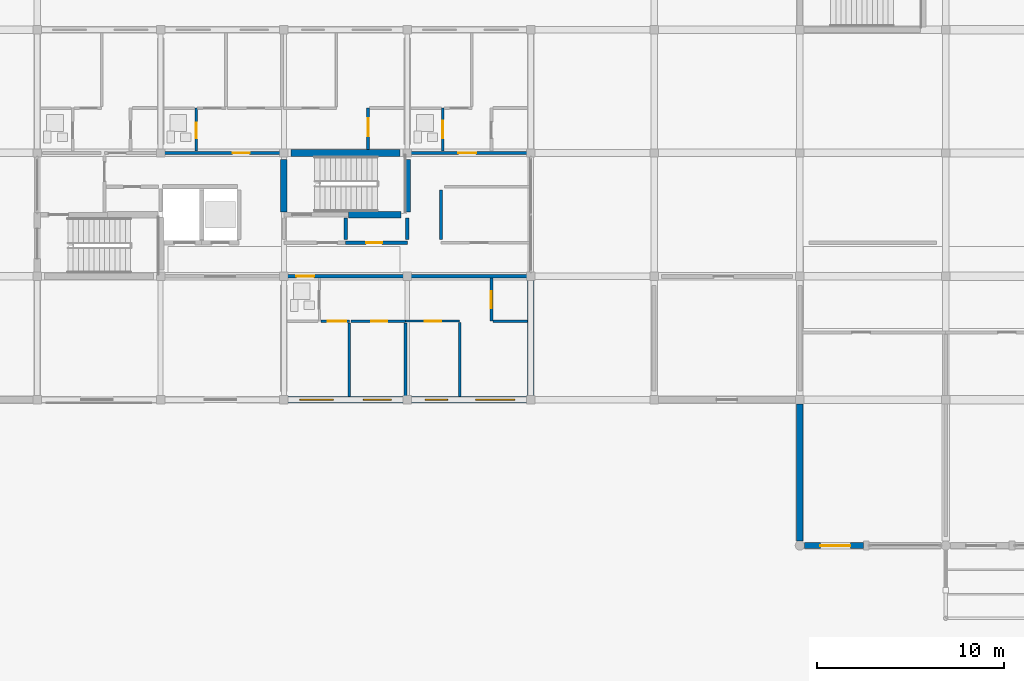
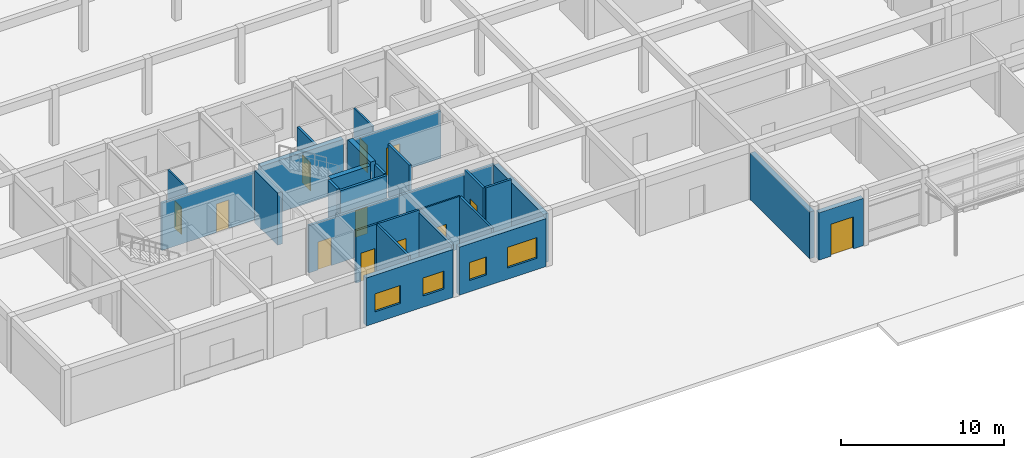
# One storey, part 49 of 75: 27 walls, 12 doors, 4 windows, 16 openings.
"""IFC4 building model written with IfcOpenShell, lengths in metres."""

from ifc_helpers import new_model, si_unit, direction, frame, frame_2d, origin, place, context, subcontext, project, spatial, rectangle, extrude, material, layer, layer_set, type_object, element, fill, save


model = new_model("IFC4")

# Units and contexts
model_context = context("Model", 3, precision=1e-05, world=origin(), true_north=direction((0.0, 1.0)))
body_context = subcontext(model_context, "Body", "Model", "MODEL_VIEW")
ifc_project = project(units=[si_unit("LENGTHUNIT", "METRE"), si_unit("AREAUNIT", "SQUARE_METRE"), si_unit("VOLUMEUNIT", "CUBIC_METRE"), si_unit("PLANEANGLEUNIT", "RADIAN"), si_unit("MASSUNIT", "GRAM", prefix="KILO")], contexts=[model_context])

# Site, building, storey
site_placement = place(None, origin())
site = spatial("IfcSite", under=ifc_project, at=site_placement, CompositionType="ELEMENT")
building_placement = place(site_placement, origin())
building = spatial("IfcBuilding", under=site, at=building_placement, Name="Kernevlak Ridge Housing Community", CompositionType="ELEMENT")
storey_placement = place(building_placement, origin())
storey = spatial("IfcBuildingStorey", under=building, at=storey_placement, Name="L00", CompositionType="ELEMENT", Elevation=0.0)

# Wall, openings, windows
ifc_material_1 = material(Name="Concrete block masonry M10", Category="masonry")
ifc_layer_1 = layer(ifc_material_1, 0.340087890625, Name="Concrete block masonry M10")
ifc_layer_set_1 = layer_set([ifc_layer_1], Name="Concrete block masonry M10")
wall_type_1 = type_object("IfcWallType", Name="EW-04", PredefinedType="STANDARD", material=ifc_layer_set_1)
wall_1_placement = place(storey_placement, frame((29.02490234375, 15.60009765625, 0.0), z_axis=(0.0, 0.0, 1.0), x_axis=(1.0, 0.0, 0.0)))
wall_1 = element("IfcWall", 1, at=wall_1_placement, inside=storey, type_object=wall_type_1, Name="Exterior wall EW-04 L00 717", PredefinedType="STANDARD", context=body_context, shape_type="SweptSolid", body=[
    extrude(rectangle(XDim=6.150146484375, YDim=0.340087890625, at=frame_2d((3.0751953125, 0.0))), origin(), (0.0, 0.0, 1.0), 3.60009765625),
])
opening_1_placement = place(wall_1_placement, frame((0.625, 0.0, 0.85009765625)))
opening_1 = element("IfcOpeningElement", 2, at=opening_1_placement, cuts=wall_1, Name="Opening WT-03", PredefinedType="OPENING", context=body_context, shape_type="SweptSolid", body=[
    extrude(rectangle(XDim=1.800048828125, YDim=1.35009765625, at=frame_2d((0.89990234375, 0.675048828125))), frame((0.0, 0.179931640625, 0.0), z_axis=(0.0, -1.0, 0.0), x_axis=(1.0, 0.0, 0.0)), (0.0, 0.0, 1.0), 0.360107421875),
])
opening_2_placement = place(wall_1_placement, frame((4.02490234375, 0.0, 0.85009765625)))
opening_2 = element("IfcOpeningElement", 3, at=opening_2_placement, cuts=wall_1, Name="Opening WT-02", PredefinedType="OPENING", context=body_context, shape_type="SweptSolid", body=[
    extrude(rectangle(XDim=1.5, YDim=1.35009765625, at=frame_2d((0.75, 0.675048828125))), frame((0.0, 0.179931640625, 0.0), z_axis=(0.0, -1.0, 0.0), x_axis=(1.0, 0.0, 0.0)), (0.0, 0.0, 1.0), 0.360107421875),
])
ifc_material_2 = material(Name="Aluminium EN AW-6060 anodised and laminated glass", Category="aluminium")
window_type_1 = type_object("IfcWindowType", Name="WT-02", PartitioningType="SINGLE_PANEL", PredefinedType="WINDOW", material=ifc_material_2)
window_1_placement = place(opening_2_placement, origin())
window_1 = element("IfcWindow", 4, at=window_1_placement, inside=storey, type_object=window_type_1, Name="Window WT-02 L00 579", OverallHeight=1.35009765625, OverallWidth=1.5, PartitioningType="SINGLE_PANEL", PredefinedType="WINDOW", context=body_context, shape_type="SweptSolid", body=[
    extrude(rectangle(XDim=1.5, YDim=1.35009765625, at=frame_2d((0.75, 0.675048828125))), frame((0.0, 0.030029296875, 0.0), z_axis=(0.0, -1.0, 0.0), x_axis=(1.0, 0.0, 0.0)), (0.0, 0.0, 1.0), 0.06005859375),
])
fill(opening_2, window_1)
window_type_2 = type_object("IfcWindowType", Name="WT-03", PartitioningType="SINGLE_PANEL", PredefinedType="WINDOW", material=ifc_material_2)
window_2_placement = place(opening_1_placement, origin())
window_2 = element("IfcWindow", 5, at=window_2_placement, inside=storey, type_object=window_type_2, Name="Window WT-03 L00 578", OverallHeight=1.35009765625, OverallWidth=1.800048828125, PartitioningType="SINGLE_PANEL", PredefinedType="WINDOW", context=body_context, shape_type="SweptSolid", body=[
    extrude(rectangle(XDim=1.800048828125, YDim=1.35009765625, at=frame_2d((0.89990234375, 0.675048828125))), frame((0.0, 0.030029296875, 0.0), z_axis=(0.0, -1.0, 0.0), x_axis=(1.0, 0.0, 0.0)), (0.0, 0.0, 1.0), 0.06005859375),
])
fill(opening_1, window_2)

wall_2_placement = place(storey_placement, frame((35.625, 15.60009765625, 0.0), z_axis=(0.0, 0.0, 1.0), x_axis=(1.0, 0.0, 0.0)))
wall_2 = element("IfcWall", 6, at=wall_2_placement, inside=storey, type_object=wall_type_1, Name="Exterior wall EW-04 L00 718", PredefinedType="STANDARD", context=body_context, shape_type="SweptSolid", body=[
    extrude(rectangle(XDim=6.14990234375, YDim=0.340087890625, at=frame_2d((3.074951171875, 0.0))), origin(), (0.0, 0.0, 1.0), 3.60009765625),
])
opening_3_placement = place(wall_2_placement, frame((0.72509765625, 0.0, 0.85009765625)))
opening_3 = element("IfcOpeningElement", 7, at=opening_3_placement, cuts=wall_2, Name="Opening WT-01", PredefinedType="OPENING", context=body_context, shape_type="SweptSolid", body=[
    extrude(rectangle(XDim=1.199951171875, YDim=1.35009765625, at=frame_2d((0.60009765625, 0.675048828125))), frame((0.0, 0.179931640625, 0.0), z_axis=(0.0, -1.0, 0.0), x_axis=(1.0, 0.0, 0.0)), (0.0, 0.0, 1.0), 0.360107421875),
])
opening_4_placement = place(wall_2_placement, frame((3.425048828125, 0.0, 0.85009765625)))
opening_4 = element("IfcOpeningElement", 8, at=opening_4_placement, cuts=wall_2, Name="Opening WT-05", PredefinedType="OPENING", context=body_context, shape_type="SweptSolid", body=[
    extrude(rectangle(XDim=2.10009765625, YDim=1.550048828125, at=frame_2d((1.050048828125, 0.77490234375))), frame((0.0, 0.179931640625, 0.0), z_axis=(0.0, -1.0, 0.0), x_axis=(1.0, 0.0, 0.0)), (0.0, 0.0, 1.0), 0.360107421875),
])
window_type_3 = type_object("IfcWindowType", Name="WT-01", PartitioningType="SINGLE_PANEL", PredefinedType="WINDOW", material=ifc_material_2)
window_3_placement = place(opening_3_placement, origin())
window_3 = element("IfcWindow", 9, at=window_3_placement, inside=storey, type_object=window_type_3, Name="Window WT-01 L00 580", OverallHeight=1.35009765625, OverallWidth=1.199951171875, PartitioningType="SINGLE_PANEL", PredefinedType="WINDOW", context=body_context, shape_type="SweptSolid", body=[
    extrude(rectangle(XDim=1.199951171875, YDim=1.35009765625, at=frame_2d((0.60009765625, 0.675048828125))), frame((0.0, 0.030029296875, 0.0), z_axis=(0.0, -1.0, 0.0), x_axis=(1.0, 0.0, 0.0)), (0.0, 0.0, 1.0), 0.06005859375),
])
fill(opening_3, window_3)
window_type_4 = type_object("IfcWindowType", Name="WT-05", PartitioningType="SINGLE_PANEL", PredefinedType="WINDOW", material=ifc_material_2)
window_4_placement = place(opening_4_placement, origin())
window_4 = element("IfcWindow", 10, at=window_4_placement, inside=storey, type_object=window_type_4, Name="Window WT-05 L00 581", OverallHeight=1.550048828125, OverallWidth=2.10009765625, PartitioningType="SINGLE_PANEL", PredefinedType="WINDOW", context=body_context, shape_type="SweptSolid", body=[
    extrude(rectangle(XDim=2.10009765625, YDim=1.550048828125, at=frame_2d((1.050048828125, 0.77490234375))), frame((0.0, 0.030029296875, 0.0), z_axis=(0.0, -1.0, 0.0), x_axis=(1.0, 0.0, 0.0)), (0.0, 0.0, 1.0), 0.06005859375),
])
fill(opening_4, window_4)

# Wall
wall_3_placement = place(storey_placement, frame((42.0, 15.824951171875, 0.0), z_axis=(0.0, 0.0, 1.0), x_axis=(0.0, 1.0, 0.0)))
element("IfcWall", 11, at=wall_3_placement, inside=storey, type_object=wall_type_1, Name="Exterior wall EW-04 L00 725", PredefinedType="STANDARD", context=body_context, shape_type="SweptSolid", body=[
    extrude(rectangle(XDim=6.150146484375, YDim=0.340087890625, at=frame_2d((3.0751953125, 0.0))), origin(), (0.0, 0.0, 1.0), 3.64990234375),
])

# Wall, opening, door
wall_4_placement = place(storey_placement, frame((56.64990234375, 7.800048828125, 0.0), z_axis=(0.0, 0.0, 1.0), x_axis=(1.0, 0.0, 0.0)))
wall_4 = element("IfcWall", 12, at=wall_4_placement, inside=storey, type_object=wall_type_1, Name="Exterior wall EW-04 L00 903", PredefinedType="STANDARD", context=body_context, shape_type="SweptSolid", body=[
    extrude(rectangle(XDim=3.150146484375, YDim=0.340087890625, at=frame_2d((1.5751953125, 0.0))), origin(), (0.0, 0.0, 1.0), 3.550048828125),
])
opening_5_placement = place(wall_4_placement, frame((0.85009765625, 0.0, 0.0)))
opening_5 = element("IfcOpeningElement", 13, at=opening_5_placement, cuts=wall_4, Name="Opening E796", PredefinedType="OPENING", context=body_context, shape_type="SweptSolid", body=[
    extrude(rectangle(XDim=1.60009765625, YDim=2.39990234375, at=frame_2d((0.800048828125, 1.199951171875))), frame((0.0, 0.179931640625, 0.0), z_axis=(0.0, -1.0, 0.0), x_axis=(1.0, 0.0, 0.0)), (0.0, 0.0, 1.0), 0.360107421875),
])
ifc_material_3 = material(Name="Aluminium EN AW-6060 and laminated safety glass", Category="aluminium")
door_type_1 = type_object("IfcDoorType", Name="DT-13", OperationType="DOUBLE_DOOR_SINGLE_SWING", PredefinedType="DOOR", material=ifc_material_3)
door_1_placement = place(opening_5_placement, origin())
door_1 = element("IfcDoor", 14, at=door_1_placement, inside=storey, type_object=door_type_1, Name="Retail Shop 1 street entrance exit E796", OperationType="DOUBLE_DOOR_SINGLE_SWING", OverallHeight=2.39990234375, OverallWidth=1.60009765625, PredefinedType="DOOR", context=body_context, shape_type="SweptSolid", body=[
    extrude(rectangle(XDim=1.60009765625, YDim=2.39990234375, at=frame_2d((0.800048828125, 1.199951171875))), frame((0.0, 0.02490234375, 0.0), z_axis=(0.0, -1.0, 0.0), x_axis=(1.0, 0.0, 0.0)), (0.0, 0.0, 1.0), 0.050048828125),
])
fill(opening_5, door_1)

# Wall
wall_5_placement = place(storey_placement, frame((56.39990234375, 8.050048828125, 0.0), z_axis=(0.0, 0.0, 1.0), x_axis=(0.0, 1.0, 0.0)))
element("IfcWall", 15, at=wall_5_placement, inside=storey, type_object=wall_type_1, Name="Exterior wall EW-04 L00 909", PredefinedType="STANDARD", context=body_context, shape_type="SweptSolid", body=[
    extrude(rectangle(XDim=7.324951171875, YDim=0.340087890625, at=frame_2d((3.66259765625, 0.0))), origin(), (0.0, 0.0, 1.0), 3.5),
])

# Wall, opening, door
ifc_layer_2 = layer(ifc_material_1, 0.175048828125, Name="Concrete block masonry M10")
ifc_layer_set_2 = layer_set([ifc_layer_2], Name="Concrete block masonry M10")
wall_type_2 = type_object("IfcWallType", Name="PW-02", PredefinedType="PARTITIONING", material=ifc_layer_set_2)
wall_6_placement = place(storey_placement, frame((32.10009765625, 24.0, 0.0), z_axis=(0.0, 0.0, 1.0), x_axis=(1.0, 0.0, 0.0)))
wall_6 = element("IfcWall", 16, at=wall_6_placement, inside=storey, type_object=wall_type_2, Name="Interior wall PW-02 WAL-INT-L00-2929", PredefinedType="PARTITIONING", context=body_context, shape_type="SweptSolid", body=[
    extrude(rectangle(XDim=3.2998046875, YDim=0.175048828125, at=frame_2d((1.64990234375, 0.0))), origin(), (0.0, 0.0, 1.0), 3.919921875),
])
opening_6_placement = place(wall_6_placement, frame((1.10009765625, 0.0, 0.0)))
opening_6 = element("IfcOpeningElement", 17, at=opening_6_placement, cuts=wall_6, Name="Opening E484", PredefinedType="OPENING", context=body_context, shape_type="SweptSolid", body=[
    extrude(rectangle(XDim=0.85009765625, YDim=2.0, at=frame_2d((0.425048828125, 1.0))), frame((0.0, 0.097412109375, 0.0), z_axis=(0.0, -1.0, 0.0), x_axis=(1.0, 0.0, 0.0)), (0.0, 0.0, 1.0), 0.195068359375),
])
ifc_material_4 = material(Name="Fire-rated sheet steel leaf", Category="steel")
door_type_2 = type_object("IfcDoorType", Name="DT-07", OperationType="NOTDEFINED", PredefinedType="DOOR", material=ifc_material_4)
door_2_placement = place(opening_6_placement, origin())
door_2 = element("IfcDoor", 18, at=door_2_placement, inside=storey, type_object=door_type_2, Name="Block D Cleaner store door E484", OperationType="SINGLE_SWING_LEFT", OverallHeight=2.0, OverallWidth=0.85009765625, PredefinedType="DOOR", context=body_context, shape_type="SweptSolid", body=[
    extrude(rectangle(XDim=0.85009765625, YDim=2.0, at=frame_2d((0.425048828125, 1.0))), frame((0.0, 0.02490234375, 0.0), z_axis=(0.0, -1.0, 0.0), x_axis=(1.0, 0.0, 0.0)), (0.0, 0.0, 1.0), 0.050048828125),
])
fill(opening_6, door_2)

# Walls
for number, where, z_axis, x_axis, name in (
    (19, (32.10009765625, 24.179931640625, 0.0), (0.0, 0.0, 1.0), (0.0, 1.0, 0.0), "Interior wall PW-02 WAL-INT-L00-2931"),
    (20, (35.39990234375, 24.179931640625, 0.0), (0.0, 0.0, 1.0), (0.0, 1.0, 0.0), "Interior wall PW-02 WAL-INT-L00-2932"),
):
    element("IfcWall", number, at=place(storey_placement, frame(where, z_axis=z_axis, x_axis=x_axis)), inside=storey, type_object=wall_type_2, Name=name, PredefinedType="PARTITIONING", context=body_context, shape_type="SweptSolid", body=[
        extrude(rectangle(XDim=1.14013671875, YDim=0.175048828125, at=frame_2d((0.570068359375, 0.0))), origin(), (0.0, 0.0, 1.0), 3.919921875),
    ])

# Wall, opening, door
wall_7_placement = place(storey_placement, frame((28.800048828125, 22.199951171875, 0.0), z_axis=(0.0, 0.0, 1.0), x_axis=(1.0, 0.0, 0.0)))
wall_7 = element("IfcWall", 21, at=wall_7_placement, inside=storey, type_object=wall_type_2, Name="Interior wall PW-02 WAL-INT-L00-2937", PredefinedType="PARTITIONING", context=body_context, shape_type="SweptSolid", body=[
    extrude(rectangle(XDim=13.199951171875, YDim=0.175048828125, at=frame_2d((6.60009765625, 0.0))), origin(), (0.0, 0.0, 1.0), 3.550048828125),
])
opening_7_placement = place(wall_7_placement, frame((0.669921875, 0.0, 0.0)))
opening_7 = element("IfcOpeningElement", 22, at=opening_7_placement, cuts=wall_7, Name="Opening E489", PredefinedType="OPENING", context=body_context, shape_type="SweptSolid", body=[
    extrude(rectangle(XDim=0.949951171875, YDim=2.10009765625, at=frame_2d((0.47509765625, 1.050048828125))), frame((0.0, 0.097412109375, 0.0), z_axis=(0.0, -1.0, 0.0), x_axis=(1.0, 0.0, 0.0)), (0.0, 0.0, 1.0), 0.195068359375),
])
ifc_material_5 = material(Name="Hardwood timber solid-core fire leaf", Category="wood")
door_type_3 = type_object("IfcDoorType", Name="DT-01", OperationType="NOTDEFINED", PredefinedType="DOOR", material=ifc_material_5)
door_3_placement = place(opening_7_placement, origin())
door_3 = element("IfcDoor", 23, at=door_3_placement, inside=storey, type_object=door_type_3, Name="Flat D0012 entrance fire door E489", OperationType="SINGLE_SWING_RIGHT", OverallHeight=2.10009765625, OverallWidth=0.949951171875, PredefinedType="DOOR", context=body_context, shape_type="SweptSolid", body=[
    extrude(rectangle(XDim=0.949951171875, YDim=2.10009765625, at=frame_2d((0.47509765625, 1.050048828125))), frame((0.0, 0.02490234375, 0.0), z_axis=(0.0, -1.0, 0.0), x_axis=(1.0, 0.0, 0.0)), (0.0, 0.0, 1.0), 0.050048828125),
])
fill(opening_7, door_3)

wall_8_placement = place(storey_placement, frame((22.199951171875, 28.800048828125, 0.0), z_axis=(0.0, 0.0, 1.0), x_axis=(1.0, 0.0, 0.0)))
wall_8 = element("IfcWall", 24, at=wall_8_placement, inside=storey, type_object=wall_type_2, Name="Interior wall PW-02 WAL-INT-L00-2956", PredefinedType="PARTITIONING", context=body_context, shape_type="SweptSolid", body=[
    extrude(rectangle(XDim=6.60009765625, YDim=0.175048828125, at=frame_2d((3.300048828125, 0.0))), origin(), (0.0, 0.0, 1.0), 3.550048828125),
])
opening_8_placement = place(wall_8_placement, frame((3.85009765625, 0.0, 0.0)))
opening_8 = element("IfcOpeningElement", 25, at=opening_8_placement, cuts=wall_8, Name="Opening E499", PredefinedType="OPENING", context=body_context, shape_type="SweptSolid", body=[
    extrude(rectangle(XDim=0.919921875, YDim=2.139892578125, at=frame_2d((0.4599609375, 1.06982421875))), frame((0.0, 0.097412109375, 0.0), z_axis=(0.0, -1.0, 0.0), x_axis=(1.0, 0.0, 0.0)), (0.0, 0.0, 1.0), 0.195068359375),
])
door_type_4 = type_object("IfcDoorType", Name="DT-20", OperationType="NOTDEFINED", PredefinedType="DOOR", material=ifc_material_5)
door_4_placement = place(opening_8_placement, origin())
door_4 = element("IfcDoor", 26, at=door_4_placement, inside=storey, type_object=door_type_4, Name="Flat D0022 entrance fire door E499", OperationType="SINGLE_SWING_RIGHT", OverallHeight=2.139892578125, OverallWidth=0.919921875, PredefinedType="DOOR", context=body_context, shape_type="SweptSolid", body=[
    extrude(rectangle(XDim=0.919921875, YDim=2.139892578125, at=frame_2d((0.4599609375, 1.06982421875))), frame((0.0, 0.02490234375, 0.0), z_axis=(0.0, -1.0, 0.0), x_axis=(1.0, 0.0, 0.0)), (0.0, 0.0, 1.0), 0.050048828125),
])
fill(opening_8, door_4)

wall_9_placement = place(storey_placement, frame((35.39990234375, 28.800048828125, 0.0), z_axis=(0.0, 0.0, 1.0), x_axis=(1.0, 0.0, 0.0)))
wall_9 = element("IfcWall", 27, at=wall_9_placement, inside=storey, type_object=wall_type_2, Name="Interior wall PW-02 WAL-INT-L00-2967", PredefinedType="PARTITIONING", context=body_context, shape_type="SweptSolid", body=[
    extrude(rectangle(XDim=6.60009765625, YDim=0.175048828125, at=frame_2d((3.300048828125, 0.0))), origin(), (0.0, 0.0, 1.0), 3.550048828125),
])
opening_9_placement = place(wall_9_placement, frame((2.72509765625, 0.0, 0.0)))
opening_9 = element("IfcOpeningElement", 28, at=opening_9_placement, cuts=wall_9, Name="Opening E505", PredefinedType="OPENING", context=body_context, shape_type="SweptSolid", body=[
    extrude(rectangle(XDim=0.949951171875, YDim=2.10009765625, at=frame_2d((0.47509765625, 1.050048828125))), frame((0.0, 0.097412109375, 0.0), z_axis=(0.0, -1.0, 0.0), x_axis=(1.0, 0.0, 0.0)), (0.0, 0.0, 1.0), 0.195068359375),
])
door_5_placement = place(opening_9_placement, origin())
door_5 = element("IfcDoor", 29, at=door_5_placement, inside=storey, type_object=door_type_3, Name="Flat D0023 entrance fire door E505", OperationType="SINGLE_SWING_RIGHT", OverallHeight=2.10009765625, OverallWidth=0.949951171875, PredefinedType="DOOR", context=body_context, shape_type="SweptSolid", body=[
    extrude(rectangle(XDim=0.949951171875, YDim=2.10009765625, at=frame_2d((0.47509765625, 1.050048828125))), frame((0.0, 0.02490234375, 0.0), z_axis=(0.0, -1.0, 0.0), x_axis=(1.0, 0.0, 0.0)), (0.0, 0.0, 1.0), 0.050048828125),
])
fill(opening_9, door_5)

# Wall
ifc_layer_3 = layer(ifc_material_1, 0.14501953125, Name="Concrete block masonry M10")
ifc_layer_set_3 = layer_set([ifc_layer_3], Name="Concrete block masonry M10")
wall_type_3 = type_object("IfcWallType", Name="PW-03", PredefinedType="PARTITIONING", material=ifc_layer_set_3)
wall_10_placement = place(storey_placement, frame((37.199951171875, 24.179931640625, 0.0), z_axis=(0.0, 0.0, 1.0), x_axis=(0.0, 1.0, 0.0)))
element("IfcWall", 30, at=wall_10_placement, inside=storey, type_object=wall_type_3, Name="Interior wall PW-03 WAL-INT-L00-2935", PredefinedType="PARTITIONING", context=body_context, shape_type="SweptSolid", body=[
    extrude(rectangle(XDim=2.64013671875, YDim=0.14501953125, at=frame_2d((1.320068359375, 0.0))), origin(), (0.0, 0.0, 1.0), 3.919921875),
])

# Wall, opening, door
wall_11_placement = place(storey_placement, frame((30.7724609375, 19.800048828125, 0.0), z_axis=(0.0, 0.0, 1.0), x_axis=(1.0, 0.0, 0.0)))
wall_11 = element("IfcWall", 31, at=wall_11_placement, inside=storey, type_object=wall_type_3, Name="Interior wall PW-03 WAL-INT-L00-2942", PredefinedType="PARTITIONING", context=body_context, shape_type="SweptSolid", body=[
    extrude(rectangle(XDim=1.527587890625, YDim=0.14501953125, at=frame_2d((0.763671875, 0.0))), origin(), (0.0, 0.0, 1.0), 3.919921875),
])
opening_10_placement = place(wall_11_placement, frame((0.375, 0.0, 0.0)))
opening_10 = element("IfcOpeningElement", 32, at=opening_10_placement, cuts=wall_11, Name="Opening E492", PredefinedType="OPENING", context=body_context, shape_type="SweptSolid", body=[
    extrude(rectangle(XDim=0.97998046875, YDim=2.1201171875, at=frame_2d((0.489990234375, 1.06005859375))), frame((0.0, 0.08251953125, 0.0), z_axis=(0.0, -1.0, 0.0), x_axis=(1.0, 0.0, 0.0)), (0.0, 0.0, 1.0), 0.1650390625),
])
ifc_material_6 = material(Name="Hardwood timber leaf", Category="wood")
door_type_5 = type_object("IfcDoorType", Name="DT-24", OperationType="NOTDEFINED", PredefinedType="DOOR", material=ifc_material_6)
door_6_placement = place(opening_10_placement, origin())
door_6 = element("IfcDoor", 33, at=door_6_placement, inside=storey, type_object=door_type_5, Name="Flat D0012 bedroom door E492", OperationType="SINGLE_SWING_LEFT", OverallHeight=2.1201171875, OverallWidth=0.97998046875, PredefinedType="DOOR", context=body_context, shape_type="SweptSolid", body=[
    extrude(rectangle(XDim=0.97998046875, YDim=2.1201171875, at=frame_2d((0.489990234375, 1.06005859375))), frame((0.0, 0.02490234375, 0.0), z_axis=(0.0, -1.0, 0.0), x_axis=(1.0, 0.0, 0.0)), (0.0, 0.0, 1.0), 0.050048828125),
])
fill(opening_10, door_6)

# Wall
wall_12_placement = place(storey_placement, frame((32.300048828125, 19.717529296875, 0.0), z_axis=(0.0, 0.0, 1.0), x_axis=(0.0, -1.0, 0.0)))
element("IfcWall", 34, at=wall_12_placement, inside=storey, type_object=wall_type_3, Name="Interior wall PW-03 WAL-INT-L00-2943", PredefinedType="PARTITIONING", context=body_context, shape_type="SweptSolid", body=[
    extrude(rectangle(XDim=3.9375, YDim=0.14501953125, at=frame_2d((1.96875, 0.0))), origin(), (0.0, 0.0, 1.0), 3.919921875),
])

# Wall, opening, door
wall_13_placement = place(storey_placement, frame((32.382568359375, 19.800048828125, 0.0), z_axis=(0.0, 0.0, 1.0), x_axis=(1.0, 0.0, 0.0)))
wall_13 = element("IfcWall", 35, at=wall_13_placement, inside=storey, type_object=wall_type_3, Name="Interior wall PW-03 WAL-INT-L00-2944", PredefinedType="PARTITIONING", context=body_context, shape_type="SweptSolid", body=[
    extrude(rectangle(XDim=2.91748046875, YDim=0.14501953125, at=frame_2d((1.458740234375, 0.0))), origin(), (0.0, 0.0, 1.0), 3.919921875),
])
opening_11_placement = place(wall_13_placement, frame((1.074951171875, 0.0, 0.0)))
opening_11 = element("IfcOpeningElement", 36, at=opening_11_placement, cuts=wall_13, Name="Opening E493", PredefinedType="OPENING", context=body_context, shape_type="SweptSolid", body=[
    extrude(rectangle(XDim=0.8798828125, YDim=2.10009765625, at=frame_2d((0.43994140625, 1.050048828125))), frame((0.0, 0.08251953125, 0.0), z_axis=(0.0, -1.0, 0.0), x_axis=(1.0, 0.0, 0.0)), (0.0, 0.0, 1.0), 0.1650390625),
])
door_type_6 = type_object("IfcDoorType", Name="DT-25", OperationType="NOTDEFINED", PredefinedType="DOOR", material=ifc_material_6)
door_7_placement = place(opening_11_placement, origin())
door_7 = element("IfcDoor", 37, at=door_7_placement, inside=storey, type_object=door_type_6, Name="Flat D0012 bedroom door E493", OperationType="SINGLE_SWING_RIGHT", OverallHeight=2.10009765625, OverallWidth=0.8798828125, PredefinedType="DOOR", context=body_context, shape_type="SweptSolid", body=[
    extrude(rectangle(XDim=0.8798828125, YDim=2.10009765625, at=frame_2d((0.43994140625, 1.050048828125))), frame((0.0, 0.02490234375, 0.0), z_axis=(0.0, -1.0, 0.0), x_axis=(1.0, 0.0, 0.0)), (0.0, 0.0, 1.0), 0.050048828125),
])
fill(opening_11, door_7)

# Walls
wall_14_placement = place(storey_placement, frame((35.300048828125, 19.717529296875, 0.0), z_axis=(0.0, 0.0, 1.0), x_axis=(0.0, -1.0, 0.0)))
element("IfcWall", 38, at=wall_14_placement, inside=storey, type_object=wall_type_3, Name="Interior wall PW-03 WAL-INT-L00-2945", PredefinedType="PARTITIONING", context=body_context, shape_type="SweptSolid", body=[
    extrude(rectangle(XDim=4.03759765625, YDim=0.14501953125, at=frame_2d((2.018798828125, 0.0))), origin(), (0.0, 0.0, 1.0), 3.75),
])
wall_15_placement = place(storey_placement, frame((38.199951171875, 19.719970703125, 0.0), z_axis=(0.0, 0.0, 1.0), x_axis=(0.0, -1.0, 0.0)))
element("IfcWall", 39, at=wall_15_placement, inside=storey, type_object=wall_type_3, Name="Interior wall PW-03 WAL-INT-L00-2947", PredefinedType="PARTITIONING", context=body_context, shape_type="SweptSolid", body=[
    extrude(rectangle(XDim=3.93994140625, YDim=0.14501953125, at=frame_2d((1.969970703125, 0.0))), origin(), (0.0, 0.0, 1.0), 3.919921875),
])

# Wall, opening, door
ifc_material_7 = material(Name="Gypsum plasterboard EN 520", Category="gypsum")
ifc_layer_4 = layer(ifc_material_7, 0.125, Name="Gypsum plasterboard EN 520")
ifc_layer_set_4 = layer_set([ifc_layer_4], Name="Gypsum plasterboard EN 520")
wall_type_4 = type_object("IfcWallType", Name="PW-04", PredefinedType="PARTITIONING", material=ifc_layer_set_4)
wall_16_placement = place(storey_placement, frame((24.10009765625, 28.8974609375, 0.0), z_axis=(0.0, 0.0, 1.0), x_axis=(0.0, 1.0, 0.0)))
wall_16 = element("IfcWall", 40, at=wall_16_placement, inside=storey, type_object=wall_type_4, Name="Interior wall PW-04 WAL-INT-L00-2957", PredefinedType="PARTITIONING", context=body_context, shape_type="SweptSolid", body=[
    extrude(rectangle(XDim=2.302490234375, YDim=0.125, at=frame_2d((1.1513671875, 0.0))), origin(), (0.0, 0.0, 1.0), 3.919921875),
])
opening_12_placement = place(wall_16_placement, frame((0.699951171875, 0.0, 0.0)))
opening_12 = element("IfcOpeningElement", 41, at=opening_12_placement, cuts=wall_16, Name="Opening E500", PredefinedType="OPENING", context=body_context, shape_type="SweptSolid", body=[
    extrude(rectangle(XDim=0.820068359375, YDim=2.050048828125, at=frame_2d((0.41015625, 1.02490234375))), frame((0.0, 0.072509765625, 0.0), z_axis=(0.0, -1.0, 0.0), x_axis=(1.0, 0.0, 0.0)), (0.0, 0.0, 1.0), 0.14501953125),
])
ifc_material_8 = material(Name="Hardwood timber moisture-resistant leaf", Category="wood")
door_type_7 = type_object("IfcDoorType", Name="DT-30", OperationType="NOTDEFINED", PredefinedType="DOOR", material=ifc_material_8)
door_8_placement = place(opening_12_placement, origin())
door_8 = element("IfcDoor", 42, at=door_8_placement, inside=storey, type_object=door_type_7, Name="Flat D0022 bathroom door E500", OperationType="SINGLE_SWING_LEFT", OverallHeight=2.050048828125, OverallWidth=0.820068359375, PredefinedType="DOOR", context=body_context, shape_type="SweptSolid", body=[
    extrude(rectangle(XDim=0.820068359375, YDim=2.050048828125, at=frame_2d((0.41015625, 1.02490234375))), frame((0.0, 0.02490234375, 0.0), z_axis=(0.0, -1.0, 0.0), x_axis=(1.0, 0.0, 0.0)), (0.0, 0.0, 1.0), 0.050048828125),
])
fill(opening_12, door_8)

wall_17_placement = place(storey_placement, frame((37.300048828125, 28.8974609375, 0.0), z_axis=(0.0, 0.0, 1.0), x_axis=(0.0, 1.0, 0.0)))
wall_17 = element("IfcWall", 43, at=wall_17_placement, inside=storey, type_object=wall_type_4, Name="Interior wall PW-04 WAL-INT-L00-2968", PredefinedType="PARTITIONING", context=body_context, shape_type="SweptSolid", body=[
    extrude(rectangle(XDim=2.302490234375, YDim=0.125, at=frame_2d((1.1513671875, 0.0))), origin(), (0.0, 0.0, 1.0), 3.919921875),
])
opening_13_placement = place(wall_17_placement, frame((0.699951171875, 0.0, 0.0)))
opening_13 = element("IfcOpeningElement", 44, at=opening_13_placement, cuts=wall_17, Name="Opening E506", PredefinedType="OPENING", context=body_context, shape_type="SweptSolid", body=[
    extrude(rectangle(XDim=0.93994140625, YDim=2.080078125, at=frame_2d((0.469970703125, 1.0400390625))), frame((0.0, 0.072509765625, 0.0), z_axis=(0.0, -1.0, 0.0), x_axis=(1.0, 0.0, 0.0)), (0.0, 0.0, 1.0), 0.14501953125),
])
door_type_8 = type_object("IfcDoorType", Name="DT-23", OperationType="NOTDEFINED", PredefinedType="DOOR", material=ifc_material_8)
door_9_placement = place(opening_13_placement, origin())
door_9 = element("IfcDoor", 45, at=door_9_placement, inside=storey, type_object=door_type_8, Name="Flat D0023 bathroom door E506", OperationType="SINGLE_SWING_LEFT", OverallHeight=2.080078125, OverallWidth=0.93994140625, PredefinedType="DOOR", context=body_context, shape_type="SweptSolid", body=[
    extrude(rectangle(XDim=0.93994140625, YDim=2.080078125, at=frame_2d((0.469970703125, 1.0400390625))), frame((0.0, 0.02490234375, 0.0), z_axis=(0.0, -1.0, 0.0), x_axis=(1.0, 0.0, 0.0)), (0.0, 0.0, 1.0), 0.050048828125),
])
fill(opening_13, door_9)

ifc_layer_5 = layer(ifc_material_7, 0.155029296875, Name="Gypsum plasterboard EN 520")
ifc_layer_set_5 = layer_set([ifc_layer_5], Name="Gypsum plasterboard EN 520")
wall_type_5 = type_object("IfcWallType", Name="PW-05", PredefinedType="PARTITIONING", material=ifc_layer_set_5)
wall_18_placement = place(storey_placement, frame((39.89990234375, 22.1025390625, 0.0), z_axis=(0.0, 0.0, 1.0), x_axis=(0.0, -1.0, 0.0)))
wall_18 = element("IfcWall", 46, at=wall_18_placement, inside=storey, type_object=wall_type_5, Name="Interior wall PW-05 WAL-INT-L00-2940", PredefinedType="PARTITIONING", context=body_context, shape_type="SweptSolid", body=[
    extrude(rectangle(XDim=2.302490234375, YDim=0.155029296875, at=frame_2d((1.1513671875, 0.0))), origin(), (0.0, 0.0, 1.0), 3.919921875),
])
opening_14_placement = place(wall_18_placement, frame((0.699951171875, 0.0, 0.0)))
opening_14 = element("IfcOpeningElement", 47, at=opening_14_placement, cuts=wall_18, Name="Opening E491", PredefinedType="OPENING", context=body_context, shape_type="SweptSolid", body=[
    extrude(rectangle(XDim=0.89990234375, YDim=2.159912109375, at=frame_2d((0.449951171875, 1.080078125))), frame((0.0, 0.08740234375, 0.0), z_axis=(0.0, -1.0, 0.0), x_axis=(1.0, 0.0, 0.0)), (0.0, 0.0, 1.0), 0.175048828125),
])
door_type_9 = type_object("IfcDoorType", Name="DT-22", OperationType="NOTDEFINED", PredefinedType="DOOR", material=ifc_material_6)
door_10_placement = place(opening_14_placement, origin())
door_10 = element("IfcDoor", 48, at=door_10_placement, inside=storey, type_object=door_type_9, Name="Flat D0012 kitchen door E491", OperationType="SINGLE_SWING_RIGHT", OverallHeight=2.159912109375, OverallWidth=0.89990234375, PredefinedType="DOOR", context=body_context, shape_type="SweptSolid", body=[
    extrude(rectangle(XDim=0.89990234375, YDim=2.159912109375, at=frame_2d((0.449951171875, 1.080078125))), frame((0.0, 0.02490234375, 0.0), z_axis=(0.0, -1.0, 0.0), x_axis=(1.0, 0.0, 0.0)), (0.0, 0.0, 1.0), 0.050048828125),
])
fill(opening_14, door_10)

# Wall
wall_19_placement = place(storey_placement, frame((39.987548828125, 19.800048828125, 0.0), z_axis=(0.0, 0.0, 1.0), x_axis=(1.0, 0.0, 0.0)))
element("IfcWall", 49, at=wall_19_placement, inside=storey, type_object=wall_type_5, Name="Interior wall PW-05 WAL-INT-L00-2941", PredefinedType="PARTITIONING", context=body_context, shape_type="SweptSolid", body=[
    extrude(rectangle(XDim=1.83251953125, YDim=0.155029296875, at=frame_2d((0.916259765625, 0.0))), origin(), (0.0, 0.0, 1.0), 3.919921875),
])

# Wall, opening, door
wall_20_placement = place(storey_placement, frame((33.300048828125, 28.985107421875, 0.0), z_axis=(0.0, 0.0, 1.0), x_axis=(0.0, 1.0, 0.0)))
wall_20 = element("IfcWall", 50, at=wall_20_placement, inside=storey, type_object=wall_type_5, Name="Interior wall PW-05 WAL-INT-L00-2959", PredefinedType="PARTITIONING", context=body_context, shape_type="SweptSolid", body=[
    extrude(rectangle(XDim=2.21484375, YDim=0.155029296875, at=frame_2d((1.107421875, 0.0))), origin(), (0.0, 0.0, 1.0), 3.919921875),
])
opening_15_placement = place(wall_20_placement, frame((0.699951171875, 0.0, 0.0)))
opening_15 = element("IfcOpeningElement", 51, at=opening_15_placement, cuts=wall_20, Name="Opening E501", PredefinedType="OPENING", context=body_context, shape_type="SweptSolid", body=[
    extrude(rectangle(XDim=0.97998046875, YDim=2.1201171875, at=frame_2d((0.489990234375, 1.06005859375))), frame((0.0, 0.08740234375, 0.0), z_axis=(0.0, -1.0, 0.0), x_axis=(1.0, 0.0, 0.0)), (0.0, 0.0, 1.0), 0.175048828125),
])
door_11_placement = place(opening_15_placement, origin())
door_11 = element("IfcDoor", 52, at=door_11_placement, inside=storey, type_object=door_type_5, Name="Flat D0022 kitchen door E501", OperationType="SINGLE_SWING_RIGHT", OverallHeight=2.1201171875, OverallWidth=0.97998046875, PredefinedType="DOOR", context=body_context, shape_type="SweptSolid", body=[
    extrude(rectangle(XDim=0.97998046875, YDim=2.1201171875, at=frame_2d((0.489990234375, 1.06005859375))), frame((0.0, 0.02490234375, 0.0), z_axis=(0.0, -1.0, 0.0), x_axis=(1.0, 0.0, 0.0)), (0.0, 0.0, 1.0), 0.050048828125),
])
fill(opening_15, door_11)

ifc_layer_6 = layer(ifc_material_7, 0.10498046875, Name="Gypsum plasterboard EN 520")
ifc_layer_set_6 = layer_set([ifc_layer_6], Name="Gypsum plasterboard EN 520")
wall_type_6 = type_object("IfcWallType", Name="PW-06", PredefinedType="PARTITIONING", material=ifc_layer_set_6)
wall_21_placement = place(storey_placement, frame((35.300048828125, 19.800048828125, 0.0), z_axis=(0.0, 0.0, 1.0), x_axis=(1.0, 0.0, 0.0)))
wall_21 = element("IfcWall", 53, at=wall_21_placement, inside=storey, type_object=wall_type_6, Name="Interior wall PW-06 WAL-INT-L00-2946", PredefinedType="PARTITIONING", context=body_context, shape_type="SweptSolid", body=[
    extrude(rectangle(XDim=2.89990234375, YDim=0.10498046875, at=frame_2d((1.449951171875, 0.0))), origin(), (0.0, 0.0, 1.0), 3.919921875),
])
opening_16_placement = place(wall_21_placement, frame((1.02490234375, 0.0, 0.0)))
opening_16 = element("IfcOpeningElement", 54, at=opening_16_placement, cuts=wall_21, Name="Opening E494", PredefinedType="OPENING", context=body_context, shape_type="SweptSolid", body=[
    extrude(rectangle(XDim=0.8798828125, YDim=2.159912109375, at=frame_2d((0.43994140625, 1.080078125))), frame((0.0, 0.0625, 0.0), z_axis=(0.0, -1.0, 0.0), x_axis=(1.0, 0.0, 0.0)), (0.0, 0.0, 1.0), 0.125),
])
door_type_10 = type_object("IfcDoorType", Name="DT-26", OperationType="NOTDEFINED", PredefinedType="DOOR", material=ifc_material_6)
door_12_placement = place(opening_16_placement, origin())
door_12 = element("IfcDoor", 55, at=door_12_placement, inside=storey, type_object=door_type_10, Name="Flat D0012 bedroom door E494", OperationType="SINGLE_SWING_LEFT", OverallHeight=2.159912109375, OverallWidth=0.8798828125, PredefinedType="DOOR", context=body_context, shape_type="SweptSolid", body=[
    extrude(rectangle(XDim=0.8798828125, YDim=2.159912109375, at=frame_2d((0.43994140625, 1.080078125))), frame((0.0, 0.02490234375, 0.0), z_axis=(0.0, -1.0, 0.0), x_axis=(1.0, 0.0, 0.0)), (0.0, 0.0, 1.0), 0.050048828125),
])
fill(opening_16, door_12)

# Walls
ifc_material_9 = material(Name="Concrete C40/50", Category="concrete")
ifc_layer_7 = layer(ifc_material_9, 0.35009765625, Name="Concrete C40/50")
ifc_layer_set_7 = layer_set([ifc_layer_7], Name="Concrete C40/50")
wall_type_7 = type_object("IfcWallType", Name="SW-01", PredefinedType="SHEAR", material=ifc_layer_set_7)
wall_22_placement = place(storey_placement, frame((29.179931640625, 28.800048828125, 0.0), z_axis=(0.0, 0.0, 1.0), x_axis=(1.0, 0.0, 0.0)))
element("IfcWall", 56, at=wall_22_placement, inside=storey, type_object=wall_type_7, Name="Shear wall SW-01 Block D L00 510", PredefinedType="SHEAR", context=body_context, shape_type="SweptSolid", body=[
    extrude(rectangle(XDim=5.840087890625, YDim=0.35009765625, at=frame_2d((2.919921875, 0.0))), origin(), (0.0, 0.0, 1.0), 3.919921875),
])
for number, where, z_axis, x_axis, name in (
    (57, (32.25, 25.5, 0.0), (0.0, 0.0, 1.0), (1.0, 0.0, 0.0), "Shear wall SW-01 Block D L00 511"),
    (58, (28.800048828125, 25.64990234375, 0.0), (0.0, 0.0, 1.0), (0.0, 1.0, 0.0), "Shear wall SW-01 Block D L00 512"),
    (59, (35.39990234375, 25.64990234375, 0.0), (0.0, 0.0, 1.0), (0.0, 1.0, 0.0), "Shear wall SW-01 Block D L00 513"),
):
    element("IfcWall", number, at=place(storey_placement, frame(where, z_axis=z_axis, x_axis=x_axis)), inside=storey, type_object=wall_type_7, Name=name, PredefinedType="SHEAR", context=body_context, shape_type="SweptSolid", body=[
        extrude(rectangle(XDim=2.800048828125, YDim=0.35009765625, at=frame_2d((1.39990234375, 0.0))), origin(), (0.0, 0.0, 1.0), 3.919921875),
    ])

save(model, "model.ifc")
